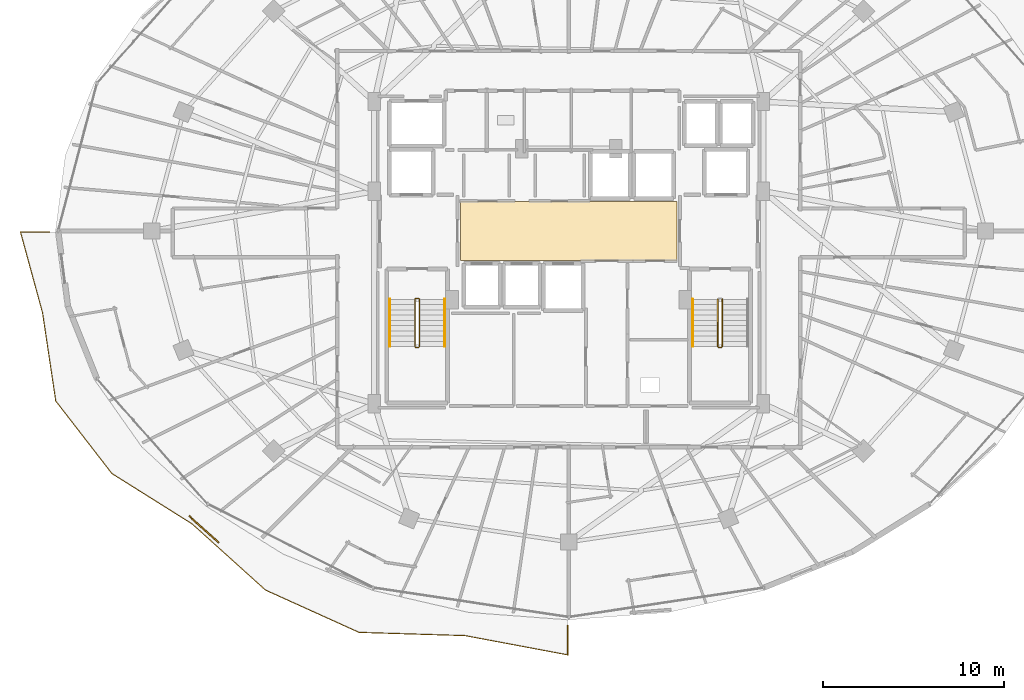
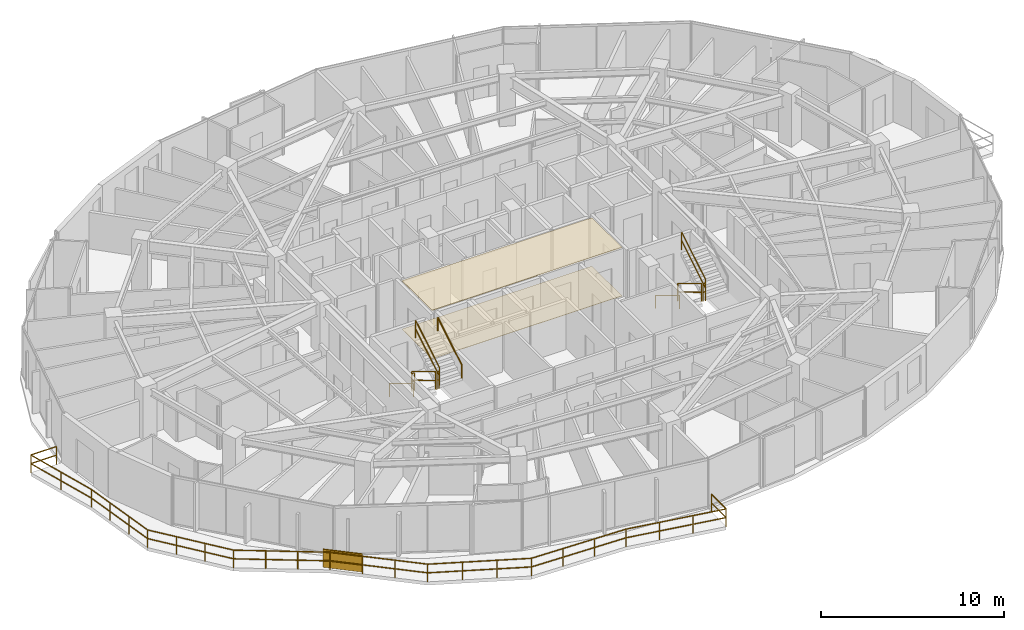
# One storey, part 32 of 34: 12 railings, 2 coverings, 1 shading device.
"""IFC4 building model written with IfcOpenShell, lengths in metres."""

from ifc_helpers import new_model, si_unit, direction, frame, origin, origin_2d, place, context, subcontext, project, spatial, polyline, rectangle, outline, extrude, material, layer, layer_set, type_object, element, save


model = new_model("IFC4")

# Units and contexts
model_context = context("Model", 3, precision=1e-05, world=origin(), true_north=direction((0.0, 1.0)))
body_context = subcontext(model_context, "Body", "Model", "MODEL_VIEW")
ifc_project = project(units=[si_unit("LENGTHUNIT", "METRE"), si_unit("AREAUNIT", "SQUARE_METRE"), si_unit("VOLUMEUNIT", "CUBIC_METRE"), si_unit("PLANEANGLEUNIT", "RADIAN"), si_unit("MASSUNIT", "GRAM", prefix="KILO")], contexts=[model_context])

# Site, building, storey
site_placement = place(None, origin())
site = spatial("IfcSite", under=ifc_project, at=site_placement, CompositionType="ELEMENT")
building_placement = place(site_placement, origin())
building = spatial("IfcBuilding", under=site, at=building_placement, Name="Vorneva Point Tower", CompositionType="ELEMENT")
storey_placement = place(building_placement, frame((0.0, 0.0, 186.10009765625)))
storey = spatial("IfcBuildingStorey", under=building, at=storey_placement, Name="L50", CompositionType="ELEMENT", Elevation=186.10009765625)

# Coverings
ifc_material_1 = material(Name="Perforated acoustic aluminium baffle ceiling", Category="aluminium")
ifc_layer_1 = layer(ifc_material_1, 0.030029296875)
ifc_layer_set_1 = layer_set([ifc_layer_1], Name="Perforated acoustic aluminium baffle ceiling")
covering_type_1 = type_object("IfcCoveringType", Name="COV-CEIL-BAF", PredefinedType="CEILING", material=ifc_layer_set_1)
covering_1_placement = place(storey_placement, frame((0.0, 0.0, 3.2099609375)))
element("IfcCovering", 1, at=covering_1_placement, inside=storey, type_object=covering_type_1, Name="L50 Lift Lobby Acoustic Baffle Ceiling", PredefinedType="CEILING", context=body_context, shape_type="SweptSolid", body=[
    extrude(outline(polyline([(32.02001953125, 24.3701171875), (43.97998046875, 24.3701171875), (43.97998046875, 27.6298828125), (32.02001953125, 27.6298828125), (32.02001953125, 24.3701171875)])), origin(), (0.0, 0.0, 1.0), 0.034912109375),
])
ifc_material_2 = material(Name="Acoustic wool hospitality carpet", Category="textile")
ifc_layer_2 = layer(ifc_material_2, 0.01806640625)
ifc_layer_set_2 = layer_set([ifc_layer_2], Name="Acoustic wool hospitality carpet")
covering_type_2 = type_object("IfcCoveringType", Name="COV-FLR-CRP", PredefinedType="FLOORING", material=ifc_layer_set_2)
covering_2_placement = place(storey_placement, frame((0.0, 0.0, -0.005126953125)))
element("IfcCovering", 2, at=covering_2_placement, inside=storey, type_object=covering_type_2, Name="L50 Lift Lobby Floor Finish", PredefinedType="FLOORING", context=body_context, shape_type="SweptSolid", body=[
    extrude(outline(polyline([(32.02001953125, 24.3701171875), (43.97998046875, 24.3701171875), (43.97998046875, 27.6298828125), (32.02001953125, 27.6298828125), (32.02001953125, 24.3701171875)])), origin(), (0.0, 0.0, 1.0), 0.02294921875),
])

# Railings
ifc_material_3 = material(Name="Pale anodised aluminium", Category="aluminium")
railing_type_1 = type_object("IfcRailingType", Name="RL-BAL-1200", PredefinedType="BALUSTRADE", material=ifc_material_3)
railing_1_placement = place(storey_placement, frame((37.949951171875, 2.559326171875, 0.0)))
element("IfcRailing", 3, at=railing_1_placement, inside=storey, type_object=railing_type_1, Name="L50 Wave Balcony Balustrade SW.1", PredefinedType="BALUSTRADE", context=body_context, shape_type="SweptSolid", body=[
    extrude(rectangle(XDim=0.048095703125, YDim=0.048095703125, at=origin_2d()), frame((0.0, 0.0, 1.17578125), z_axis=(0.0, 1.0, 0.0), x_axis=(-1.0, 0.0, 0.0)), (0.0, 0.0, 1.0), 1.62353515625),
    extrude(rectangle(XDim=0.048095703125, YDim=0.048095703125, at=origin_2d()), frame((0.0, 0.0, 0.60009765625), z_axis=(0.0, 1.0, 0.0), x_axis=(-1.0, 0.0, 0.0)), (0.0, 0.0, 1.0), 1.62353515625),
    extrude(rectangle(XDim=0.0419921875, YDim=0.0419921875, at=origin_2d()), origin(), (0.0, 0.0, 1.0), 1.15185546875),
    extrude(rectangle(XDim=0.0419921875, YDim=0.0419921875, at=origin_2d()), frame((0.0, 1.62353515625, 0.0)), (0.0, 0.0, 1.0), 1.15185546875),
])
railing_2_placement = place(storey_placement, frame((9.3037109375, 25.949951171875, 0.0)))
element("IfcRailing", 4, at=railing_2_placement, inside=storey, type_object=railing_type_1, Name="L50 Wave Balcony Balustrade SW.2", PredefinedType="BALUSTRADE", context=body_context, shape_type="SweptSolid", body=[
    extrude(rectangle(XDim=0.048095703125, YDim=0.048095703125, at=origin_2d()), frame((0.0, 0.0, 1.17578125), z_axis=(-1.0, 0.0, 0.0), x_axis=(0.0, -1.0, 0.0)), (0.0, 0.0, 1.0), 1.6201171875),
    extrude(rectangle(XDim=0.048095703125, YDim=0.048095703125, at=origin_2d()), frame((0.0, 0.0, 0.60009765625), z_axis=(-1.0, 0.0, 0.0), x_axis=(0.0, -1.0, 0.0)), (0.0, 0.0, 1.0), 1.6201171875),
    extrude(rectangle(XDim=0.048095703125, YDim=0.048095703125, at=origin_2d()), frame((-1.6201171875, 0.0, 1.17578125), z_axis=(0.263246545083, -0.964728592145, 0.0), x_axis=(0.964728592145, 0.263246545083, 0.0)), (0.0, 0.0, 1.0), 4.638916015625),
    extrude(rectangle(XDim=0.048095703125, YDim=0.048095703125, at=origin_2d()), frame((-1.6201171875, 0.0, 0.60009765625), z_axis=(0.263246545083, -0.964728592145, 0.0), x_axis=(0.964728592145, 0.263246545083, 0.0)), (0.0, 0.0, 1.0), 4.638916015625),
    extrude(rectangle(XDim=0.048095703125, YDim=0.048095703125, at=origin_2d()), frame((-0.39892578125, -4.475341796875, 1.17578125), z_axis=(0.148129755726, -0.9889679345, 0.0), x_axis=(0.9889679345, 0.148129755726, 0.0)), (0.0, 0.0, 1.0), 4.9296875),
    extrude(rectangle(XDim=0.048095703125, YDim=0.048095703125, at=origin_2d()), frame((-0.39892578125, -4.475341796875, 0.60009765625), z_axis=(0.148129755726, -0.9889679345, 0.0), x_axis=(0.9889679345, 0.148129755726, 0.0)), (0.0, 0.0, 1.0), 4.9296875),
    extrude(rectangle(XDim=0.048095703125, YDim=0.048095703125, at=origin_2d()), frame((0.331298828125, -9.3505859375, 1.17578125), z_axis=(0.612052807686, -0.790816894486, 0.0), x_axis=(0.790816894486, 0.612052807686, 0.0)), (0.0, 0.0, 1.0), 5.072265625),
    extrude(rectangle(XDim=0.048095703125, YDim=0.048095703125, at=origin_2d()), frame((0.331298828125, -9.3505859375, 0.60009765625), z_axis=(0.612052807686, -0.790816894486, 0.0), x_axis=(0.790816894486, 0.612052807686, 0.0)), (0.0, 0.0, 1.0), 5.072265625),
    extrude(rectangle(XDim=0.048095703125, YDim=0.048095703125, at=origin_2d()), frame((3.435791015625, -13.36181640625, 1.17578125), z_axis=(0.846828995832, -0.531865257202, 0.0), x_axis=(0.531865257202, 0.846828995832, 0.0)), (0.0, 0.0, 1.0), 5.24072265625),
    extrude(rectangle(XDim=0.048095703125, YDim=0.048095703125, at=origin_2d()), frame((3.435791015625, -13.36181640625, 0.60009765625), z_axis=(0.846828995832, -0.531865257202, 0.0), x_axis=(0.531865257202, 0.846828995832, 0.0)), (0.0, 0.0, 1.0), 5.24072265625),
    extrude(rectangle(XDim=0.048095703125, YDim=0.048095703125, at=origin_2d()), frame((7.873779296875, -16.149169921875, 1.17578125), z_axis=(0.742573212619, -0.669764901962, 0.0), x_axis=(0.669764901962, 0.742573212619, 0.0)), (0.0, 0.0, 1.0), 5.458984375),
    extrude(rectangle(XDim=0.048095703125, YDim=0.048095703125, at=origin_2d()), frame((7.873779296875, -16.149169921875, 0.60009765625), z_axis=(0.742573212619, -0.669764901962, 0.0), x_axis=(0.669764901962, 0.742573212619, 0.0)), (0.0, 0.0, 1.0), 5.458984375),
    extrude(rectangle(XDim=0.048095703125, YDim=0.048095703125, at=origin_2d()), frame((11.927490234375, -19.805419921875, 1.17578125), z_axis=(0.911162478328, -0.41204725225, 0.0), x_axis=(0.41204725225, 0.911162478328, 0.0)), (0.0, 0.0, 1.0), 5.680908203125),
    extrude(rectangle(XDim=0.048095703125, YDim=0.048095703125, at=origin_2d()), frame((11.927490234375, -19.805419921875, 0.60009765625), z_axis=(0.911162478328, -0.41204725225, 0.0), x_axis=(0.41204725225, 0.911162478328, 0.0)), (0.0, 0.0, 1.0), 5.680908203125),
    extrude(rectangle(XDim=0.048095703125, YDim=0.048095703125, at=origin_2d()), frame((17.103759765625, -22.146240234375, 1.17578125), z_axis=(0.999533007743, -0.030557592056, 0.0), x_axis=(0.030557592056, 0.999533007743, 0.0)), (0.0, 0.0, 1.0), 5.8642578125),
    extrude(rectangle(XDim=0.048095703125, YDim=0.048095703125, at=origin_2d()), frame((17.103759765625, -22.146240234375, 0.60009765625), z_axis=(0.999533007743, -0.030557592056, 0.0), x_axis=(0.030557592056, 0.999533007743, 0.0)), (0.0, 0.0, 1.0), 5.8642578125),
    extrude(rectangle(XDim=0.048095703125, YDim=0.048095703125, at=origin_2d()), frame((22.96533203125, -22.325439453125, 1.17578125), z_axis=(0.982871708748, -0.184291085361, 0.0), x_axis=(0.184291085361, 0.982871708748, 0.0)), (0.0, 0.0, 1.0), 5.780029296875),
    extrude(rectangle(XDim=0.048095703125, YDim=0.048095703125, at=origin_2d()), frame((22.96533203125, -22.325439453125, 0.60009765625), z_axis=(0.982871708748, -0.184291085361, 0.0), x_axis=(0.184291085361, 0.982871708748, 0.0)), (0.0, 0.0, 1.0), 5.780029296875),
    extrude(rectangle(XDim=0.0419921875, YDim=0.0419921875, at=origin_2d()), origin(), (0.0, 0.0, 1.0), 1.15185546875),
    extrude(rectangle(XDim=0.0419921875, YDim=0.0419921875, at=origin_2d()), frame((-1.6201171875, 0.0, 0.0)), (0.0, 0.0, 1.0), 1.15185546875),
    extrude(rectangle(XDim=0.0419921875, YDim=0.0419921875, at=origin_2d()), frame((-1.009521484375, -2.23779296875, 0.0)), (0.0, 0.0, 1.0), 1.15185546875),
    extrude(rectangle(XDim=0.0419921875, YDim=0.0419921875, at=origin_2d()), frame((-0.39892578125, -4.475341796875, 0.0)), (0.0, 0.0, 1.0), 1.15185546875),
    extrude(rectangle(XDim=0.0419921875, YDim=0.0419921875, at=origin_2d()), frame((-0.155517578125, -6.100341796875, 0.0)), (0.0, 0.0, 1.0), 1.15185546875),
    extrude(rectangle(XDim=0.0419921875, YDim=0.0419921875, at=origin_2d()), frame((0.087890625, -7.7255859375, 0.0)), (0.0, 0.0, 1.0), 1.15185546875),
    extrude(rectangle(XDim=0.0419921875, YDim=0.0419921875, at=origin_2d()), frame((0.331298828125, -9.3505859375, 0.0)), (0.0, 0.0, 1.0), 1.15185546875),
    extrude(rectangle(XDim=0.0419921875, YDim=0.0419921875, at=origin_2d()), frame((1.3662109375, -10.687744140625, 0.0)), (0.0, 0.0, 1.0), 1.15185546875),
    extrude(rectangle(XDim=0.0419921875, YDim=0.0419921875, at=origin_2d()), frame((2.40087890625, -12.024658203125, 0.0)), (0.0, 0.0, 1.0), 1.15185546875),
    extrude(rectangle(XDim=0.0419921875, YDim=0.0419921875, at=origin_2d()), frame((3.435791015625, -13.36181640625, 0.0)), (0.0, 0.0, 1.0), 1.15185546875),
    extrude(rectangle(XDim=0.0419921875, YDim=0.0419921875, at=origin_2d()), frame((4.9150390625, -14.291015625, 0.0)), (0.0, 0.0, 1.0), 1.15185546875),
    extrude(rectangle(XDim=0.0419921875, YDim=0.0419921875, at=origin_2d()), frame((6.39453125, -15.219970703125, 0.0)), (0.0, 0.0, 1.0), 1.15185546875),
    extrude(rectangle(XDim=0.0419921875, YDim=0.0419921875, at=origin_2d()), frame((7.873779296875, -16.149169921875, 0.0)), (0.0, 0.0, 1.0), 1.15185546875),
    extrude(rectangle(XDim=0.0419921875, YDim=0.0419921875, at=origin_2d()), frame((9.22509765625, -17.367919921875, 0.0)), (0.0, 0.0, 1.0), 1.15185546875),
    extrude(rectangle(XDim=0.0419921875, YDim=0.0419921875, at=origin_2d()), frame((10.576171875, -18.586669921875, 0.0)), (0.0, 0.0, 1.0), 1.15185546875),
    extrude(rectangle(XDim=0.0419921875, YDim=0.0419921875, at=origin_2d()), frame((11.927490234375, -19.805419921875, 0.0)), (0.0, 0.0, 1.0), 1.15185546875),
    extrude(rectangle(XDim=0.0419921875, YDim=0.0419921875, at=origin_2d()), frame((13.65283203125, -20.585693359375, 0.0)), (0.0, 0.0, 1.0), 1.15185546875),
    extrude(rectangle(XDim=0.0419921875, YDim=0.0419921875, at=origin_2d()), frame((15.37841796875, -21.365966796875, 0.0)), (0.0, 0.0, 1.0), 1.15185546875),
    extrude(rectangle(XDim=0.0419921875, YDim=0.0419921875, at=origin_2d()), frame((17.103759765625, -22.146240234375, 0.0)), (0.0, 0.0, 1.0), 1.15185546875),
    extrude(rectangle(XDim=0.0419921875, YDim=0.0419921875, at=origin_2d()), frame((19.0576171875, -22.2060546875, 0.0)), (0.0, 0.0, 1.0), 1.15185546875),
    extrude(rectangle(XDim=0.0419921875, YDim=0.0419921875, at=origin_2d()), frame((21.011474609375, -22.265625, 0.0)), (0.0, 0.0, 1.0), 1.15185546875),
    extrude(rectangle(XDim=0.0419921875, YDim=0.0419921875, at=origin_2d()), frame((22.96533203125, -22.325439453125, 0.0)), (0.0, 0.0, 1.0), 1.15185546875),
    extrude(rectangle(XDim=0.0419921875, YDim=0.0419921875, at=origin_2d()), frame((24.85888671875, -22.680419921875, 0.0)), (0.0, 0.0, 1.0), 1.15185546875),
    extrude(rectangle(XDim=0.0419921875, YDim=0.0419921875, at=origin_2d()), frame((26.752685546875, -23.03564453125, 0.0)), (0.0, 0.0, 1.0), 1.15185546875),
    extrude(rectangle(XDim=0.0419921875, YDim=0.0419921875, at=origin_2d()), frame((28.646240234375, -23.390625, 0.0)), (0.0, 0.0, 1.0), 1.15185546875),
])
ifc_material_4 = material(Name="Brushed stainless steel S304", Category="steel")
railing_type_2 = type_object("IfcRailingType", Name="RL-HND-920", PredefinedType="HANDRAIL", material=ifc_material_4)
railing_3_placement = place(storey_placement, frame((28.10009765625, 22.219970703125, 0.1748046875)))
element("IfcRailing", 5, at=railing_3_placement, inside=storey, type_object=railing_type_2, Name="L50 ST1 stair handrail 1", PredefinedType="HANDRAIL", context=body_context, shape_type="SweptSolid", body=[
    extrude(rectangle(XDim=0.048095703125, YDim=0.048095703125, at=origin_2d()), frame((0.0, 0.0, 0.8759765625), z_axis=(0.0, -0.856147343639, 0.516731773728), x_axis=(1.0, 0.0, 0.0)), (0.0, 0.0, 1.0), 3.04833984375),
    extrude(rectangle(XDim=0.0419921875, YDim=0.0419921875, at=origin_2d()), origin(), (0.0, 0.0, 1.0), 0.851806640625),
    extrude(rectangle(XDim=0.0419921875, YDim=0.0419921875, at=origin_2d()), frame((0.0, -2.60986328125, 1.5751953125)), (0.0, 0.0, 1.0), 0.851806640625),
])
railing_4_placement = place(storey_placement, frame((31.14990234375, 19.610107421875, 1.9248046875)))
element("IfcRailing", 6, at=railing_4_placement, inside=storey, type_object=railing_type_2, Name="L50 ST1 stair handrail 2", PredefinedType="HANDRAIL", context=body_context, shape_type="SweptSolid", body=[
    extrude(rectangle(XDim=0.048095703125, YDim=0.048095703125, at=origin_2d()), frame((0.0, 0.0, 0.8759765625), z_axis=(0.0, 0.856147343639, 0.516731773728), x_axis=(-1.0, 0.0, 0.0)), (0.0, 0.0, 1.0), 3.04833984375),
    extrude(rectangle(XDim=0.0419921875, YDim=0.0419921875, at=origin_2d()), origin(), (0.0, 0.0, 1.0), 0.851806640625),
    extrude(rectangle(XDim=0.0419921875, YDim=0.0419921875, at=origin_2d()), frame((0.0, 2.60986328125, 1.5751953125)), (0.0, 0.0, 1.0), 0.851806640625),
])
railing_5_placement = place(storey_placement, frame((44.85009765625, 22.219970703125, 0.1748046875)))
element("IfcRailing", 7, at=railing_5_placement, inside=storey, type_object=railing_type_2, Name="L50 ST2 stair handrail 1", PredefinedType="HANDRAIL", context=body_context, shape_type="SweptSolid", body=[
    extrude(rectangle(XDim=0.048095703125, YDim=0.048095703125, at=origin_2d()), frame((0.0, 0.0, 0.8759765625), z_axis=(0.0, -0.856147343639, 0.516731773728), x_axis=(1.0, 0.0, 0.0)), (0.0, 0.0, 1.0), 3.04833984375),
    extrude(rectangle(XDim=0.0419921875, YDim=0.0419921875, at=origin_2d()), origin(), (0.0, 0.0, 1.0), 0.851806640625),
    extrude(rectangle(XDim=0.0419921875, YDim=0.0419921875, at=origin_2d()), frame((0.0, -2.60986328125, 1.5751953125)), (0.0, 0.0, 1.0), 0.851806640625),
])
railing_type_3 = type_object("IfcRailingType", Name="RL-STG-1100", PredefinedType="GUARDRAIL", material=ifc_material_4)
railing_6_placement = place(storey_placement, frame((29.5, 22.219970703125, 0.1748046875)))
element("IfcRailing", 8, at=railing_6_placement, inside=storey, type_object=railing_type_3, Name="L50 ST1 stair guard 1", PredefinedType="GUARDRAIL", context=body_context, shape_type="SweptSolid", body=[
    extrude(rectangle(XDim=0.048095703125, YDim=0.048095703125, at=origin_2d()), frame((0.0, 0.0, 1.17578125), z_axis=(0.0, -0.856147343639, 0.516731773728), x_axis=(1.0, 0.0, 0.0)), (0.0, 0.0, 1.0), 3.04833984375),
    extrude(rectangle(XDim=0.048095703125, YDim=0.048095703125, at=origin_2d()), frame((0.0, 0.0, 0.60009765625), z_axis=(0.0, -0.856147343639, 0.516731773728), x_axis=(1.0, 0.0, 0.0)), (0.0, 0.0, 1.0), 3.04833984375),
    extrude(rectangle(XDim=0.0419921875, YDim=0.0419921875, at=origin_2d()), origin(), (0.0, 0.0, 1.0), 1.15185546875),
    extrude(rectangle(XDim=0.0419921875, YDim=0.0419921875, at=origin_2d()), frame((0.0, -2.60986328125, 1.5751953125)), (0.0, 0.0, 1.0), 1.15185546875),
])
railing_7_placement = place(storey_placement, frame((29.550048828125, 19.56005859375, 1.75)))
element("IfcRailing", 9, at=railing_7_placement, inside=storey, type_object=railing_type_3, Name="L50 ST1 stair guard 2", PredefinedType="GUARDRAIL", context=body_context, shape_type="SweptSolid", body=[
    extrude(rectangle(XDim=0.048095703125, YDim=0.048095703125, at=origin_2d()), frame((0.0, 0.0, 1.17578125), z_axis=(1.0, 0.0, 0.0), x_axis=(0.0, 1.0, 0.0)), (0.0, 0.0, 1.0), 0.14990234375),
    extrude(rectangle(XDim=0.048095703125, YDim=0.048095703125, at=origin_2d()), frame((0.0, 0.0, 0.60009765625), z_axis=(1.0, 0.0, 0.0), x_axis=(0.0, 1.0, 0.0)), (0.0, 0.0, 1.0), 0.14990234375),
    extrude(rectangle(XDim=0.0419921875, YDim=0.0419921875, at=origin_2d()), origin(), (0.0, 0.0, 1.0), 1.15185546875),
    extrude(rectangle(XDim=0.0419921875, YDim=0.0419921875, at=origin_2d()), frame((0.14990234375, 0.0, 0.0)), (0.0, 0.0, 1.0), 1.15185546875),
])
railing_8_placement = place(storey_placement, frame((29.75, 19.610107421875, 1.9248046875)))
element("IfcRailing", 10, at=railing_8_placement, inside=storey, type_object=railing_type_3, Name="L50 ST1 stair guard 3", PredefinedType="GUARDRAIL", context=body_context, shape_type="SweptSolid", body=[
    extrude(rectangle(XDim=0.048095703125, YDim=0.048095703125, at=origin_2d()), frame((0.0, 0.0, 1.17578125), z_axis=(0.0, 0.856147343639, 0.516731773728), x_axis=(-1.0, 0.0, 0.0)), (0.0, 0.0, 1.0), 3.04833984375),
    extrude(rectangle(XDim=0.048095703125, YDim=0.048095703125, at=origin_2d()), frame((0.0, 0.0, 0.60009765625), z_axis=(0.0, 0.856147343639, 0.516731773728), x_axis=(-1.0, 0.0, 0.0)), (0.0, 0.0, 1.0), 3.04833984375),
    extrude(rectangle(XDim=0.0419921875, YDim=0.0419921875, at=origin_2d()), origin(), (0.0, 0.0, 1.0), 1.15185546875),
    extrude(rectangle(XDim=0.0419921875, YDim=0.0419921875, at=origin_2d()), frame((0.0, 2.60986328125, 1.5751953125)), (0.0, 0.0, 1.0), 1.15185546875),
])
railing_9_placement = place(storey_placement, frame((29.550048828125, 22.27001953125, 0.0)))
element("IfcRailing", 11, at=railing_9_placement, inside=storey, type_object=railing_type_3, Name="L50 ST1 stair guard 4", PredefinedType="GUARDRAIL", context=body_context, shape_type="SweptSolid", body=[
    extrude(rectangle(XDim=0.048095703125, YDim=0.048095703125, at=origin_2d()), frame((0.0, 0.0, 1.17578125), z_axis=(1.0, 0.0, 0.0), x_axis=(0.0, 1.0, 0.0)), (0.0, 0.0, 1.0), 0.14990234375),
    extrude(rectangle(XDim=0.048095703125, YDim=0.048095703125, at=origin_2d()), frame((0.0, 0.0, 0.60009765625), z_axis=(1.0, 0.0, 0.0), x_axis=(0.0, 1.0, 0.0)), (0.0, 0.0, 1.0), 0.14990234375),
    extrude(rectangle(XDim=0.0419921875, YDim=0.0419921875, at=origin_2d()), origin(), (0.0, 0.0, 1.0), 1.15185546875),
    extrude(rectangle(XDim=0.0419921875, YDim=0.0419921875, at=origin_2d()), frame((0.14990234375, 0.0, 0.0)), (0.0, 0.0, 1.0), 1.15185546875),
])
railing_10_placement = place(storey_placement, frame((46.25, 22.219970703125, 0.1748046875)))
element("IfcRailing", 12, at=railing_10_placement, inside=storey, type_object=railing_type_3, Name="L50 ST2 stair guard 1", PredefinedType="GUARDRAIL", context=body_context, shape_type="SweptSolid", body=[
    extrude(rectangle(XDim=0.048095703125, YDim=0.048095703125, at=origin_2d()), frame((0.0, 0.0, 1.17578125), z_axis=(0.0, -0.856147343639, 0.516731773728), x_axis=(1.0, 0.0, 0.0)), (0.0, 0.0, 1.0), 3.04833984375),
    extrude(rectangle(XDim=0.048095703125, YDim=0.048095703125, at=origin_2d()), frame((0.0, 0.0, 0.60009765625), z_axis=(0.0, -0.856147343639, 0.516731773728), x_axis=(1.0, 0.0, 0.0)), (0.0, 0.0, 1.0), 3.04833984375),
    extrude(rectangle(XDim=0.0419921875, YDim=0.0419921875, at=origin_2d()), origin(), (0.0, 0.0, 1.0), 1.15185546875),
    extrude(rectangle(XDim=0.0419921875, YDim=0.0419921875, at=origin_2d()), frame((0.0, -2.60986328125, 1.5751953125)), (0.0, 0.0, 1.0), 1.15185546875),
])
railing_11_placement = place(storey_placement, frame((46.300048828125, 19.56005859375, 1.75)))
element("IfcRailing", 13, at=railing_11_placement, inside=storey, type_object=railing_type_3, Name="L50 ST2 stair guard 2", PredefinedType="GUARDRAIL", context=body_context, shape_type="SweptSolid", body=[
    extrude(rectangle(XDim=0.048095703125, YDim=0.048095703125, at=origin_2d()), frame((0.0, 0.0, 1.17578125), z_axis=(1.0, 0.0, 0.0), x_axis=(0.0, 1.0, 0.0)), (0.0, 0.0, 1.0), 0.14990234375),
    extrude(rectangle(XDim=0.048095703125, YDim=0.048095703125, at=origin_2d()), frame((0.0, 0.0, 0.60009765625), z_axis=(1.0, 0.0, 0.0), x_axis=(0.0, 1.0, 0.0)), (0.0, 0.0, 1.0), 0.14990234375),
    extrude(rectangle(XDim=0.0419921875, YDim=0.0419921875, at=origin_2d()), origin(), (0.0, 0.0, 1.0), 1.15185546875),
    extrude(rectangle(XDim=0.0419921875, YDim=0.0419921875, at=origin_2d()), frame((0.14990234375, 0.0, 0.0)), (0.0, 0.0, 1.0), 1.15185546875),
])
railing_12_placement = place(storey_placement, frame((46.5, 19.610107421875, 1.9248046875)))
element("IfcRailing", 14, at=railing_12_placement, inside=storey, type_object=railing_type_3, Name="L50 ST2 stair guard 3", PredefinedType="GUARDRAIL", context=body_context, shape_type="SweptSolid", body=[
    extrude(rectangle(XDim=0.048095703125, YDim=0.048095703125, at=origin_2d()), frame((0.0, 0.0, 1.17578125), z_axis=(0.0, 0.856147343639, 0.516731773728), x_axis=(-1.0, 0.0, 0.0)), (0.0, 0.0, 1.0), 3.04833984375),
    extrude(rectangle(XDim=0.048095703125, YDim=0.048095703125, at=origin_2d()), frame((0.0, 0.0, 0.60009765625), z_axis=(0.0, 0.856147343639, 0.516731773728), x_axis=(-1.0, 0.0, 0.0)), (0.0, 0.0, 1.0), 3.04833984375),
    extrude(rectangle(XDim=0.0419921875, YDim=0.0419921875, at=origin_2d()), origin(), (0.0, 0.0, 1.0), 1.15185546875),
    extrude(rectangle(XDim=0.0419921875, YDim=0.0419921875, at=origin_2d()), frame((0.0, 2.60986328125, 1.5751953125)), (0.0, 0.0, 1.0), 1.15185546875),
])

# Shading device
shading_device_type = type_object("IfcShadingDeviceType", Name="SHD-JAL-1200", PredefinedType="JALOUSIE", material=ifc_material_3)
shading_device_placement = place(storey_placement, frame((17.823974609375, 9.510498046875, -0.02001953125), z_axis=(0.0, 0.0, 1.0), x_axis=(0.742583995213, -0.669752947028, 0.0)))
element("IfcShadingDevice", 15, at=shading_device_placement, inside=storey, type_object=shading_device_type, Name="L50 Balcony Vertical-Greenery Planter Screen SW.2", PredefinedType="JALOUSIE", context=body_context, shape_type="SweptSolid", body=[
    extrude(rectangle(XDim=2.199951171875, YDim=0.080078125, at=origin_2d()), origin(), (0.0, 0.0, 1.0), 1.199951171875),
])

save(model, "model.ifc")
